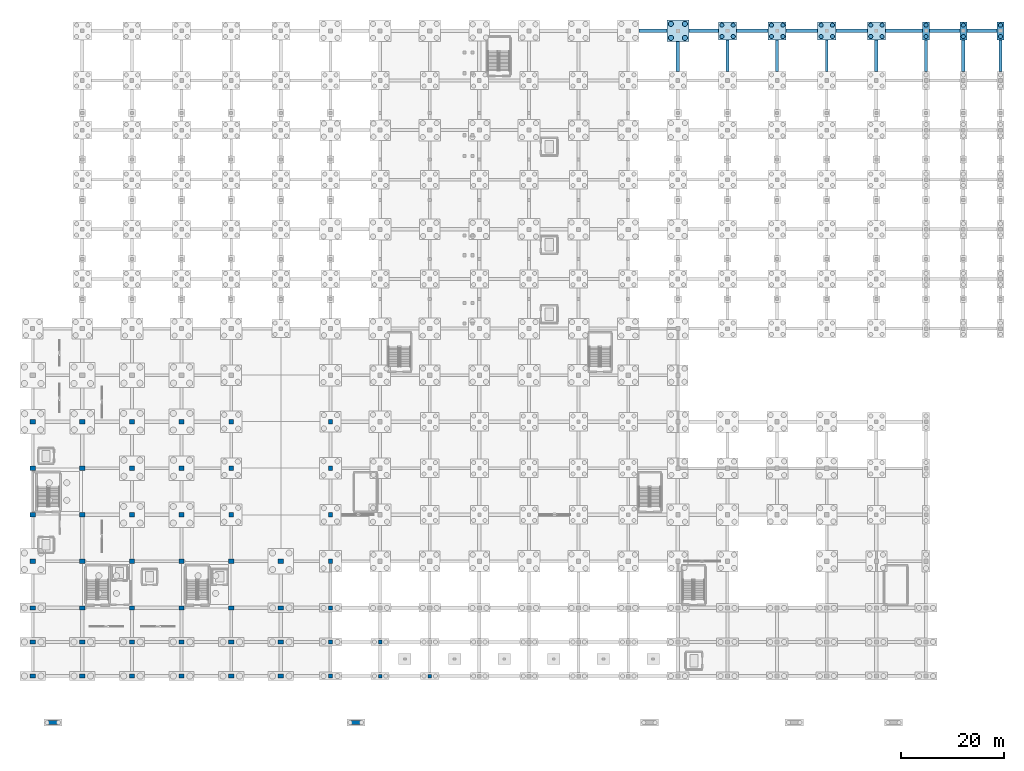
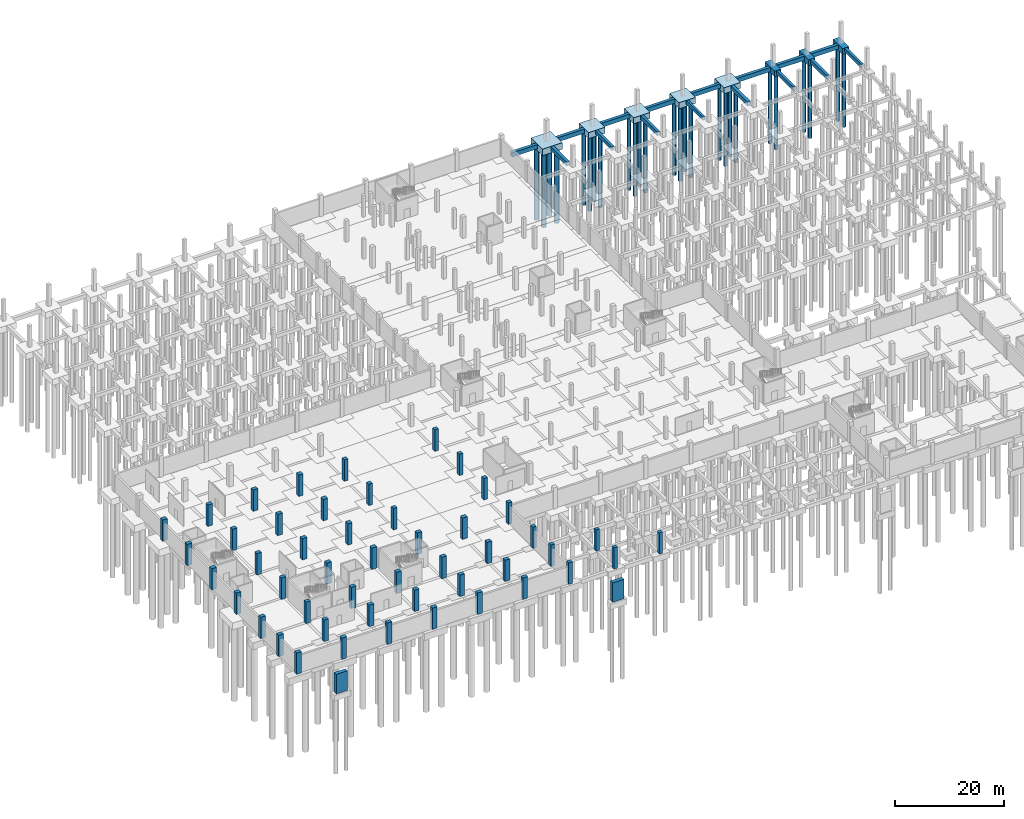
# One storey, part 17 of 39: 51 columns, 26 piles, 24 footings.
"""IFC4 building model written with IfcOpenShell, lengths in metres."""

from ifc_helpers import new_model, si_unit, direction, frame, origin, origin_2d, place, context, subcontext, project, spatial, polyline, rectangle, circle, outline, extrude, material, material_profile, profile_set, type_object, element, save


model = new_model("IFC4")

# Units and contexts
model_context = context("Model", 3, precision=1e-05, world=origin(), true_north=direction((0.0, 1.0)))
body_context = subcontext(model_context, "Body", "Model", "MODEL_VIEW")
ifc_project = project(units=[si_unit("LENGTHUNIT", "METRE"), si_unit("AREAUNIT", "SQUARE_METRE"), si_unit("VOLUMEUNIT", "CUBIC_METRE"), si_unit("PLANEANGLEUNIT", "RADIAN"), si_unit("MASSUNIT", "GRAM", prefix="KILO")], contexts=[model_context])

# Site, building, storey
site_placement = place(None, origin())
site = spatial("IfcSite", under=ifc_project, at=site_placement, CompositionType="ELEMENT")
building_placement = place(site_placement, origin())
building = spatial("IfcBuilding", under=site, at=building_placement, Name="Zarnetskaya Central Station", CompositionType="ELEMENT")
storey_placement = place(building_placement, frame((0.0, 0.0, -4.800048828125)))
storey = spatial("IfcBuildingStorey", under=building, at=storey_placement, Name="B1", CompositionType="ELEMENT", Elevation=-4.800048828125)

# Footings
ifc_material_1 = material(Name="Concrete C30/37", Category="concrete")
footing_type_1 = type_object("IfcFootingType", Name="FB-500x800", PredefinedType="FOOTING_BEAM", material=ifc_material_1)
footing_1_placement = place(storey_placement, frame((0.0, 0.0, -0.800048828125)))
element("IfcFooting", 1, at=footing_1_placement, inside=storey, type_object=footing_type_1, Name="Footing tie beam S 14-15", PredefinedType="FOOTING_BEAM", context=body_context, shape_type="SweptSolid", body=[
    extrude(outline(polyline([(153.35009765625, 116.949951171875), (153.85009765625, 116.949951171875), (153.85009765625, 123.050048828125), (153.35009765625, 123.050048828125), (153.35009765625, 116.949951171875)])), origin(), (0.0, 0.0, 1.0), 0.800048828125),
])
footing_2_placement = place(storey_placement, frame((0.0, 0.0, -0.800048828125)))
element("IfcFooting", 2, at=footing_2_placement, inside=storey, type_object=footing_type_1, Name="Footing tie beam W 14-15", PredefinedType="FOOTING_BEAM", context=body_context, shape_type="SweptSolid", body=[
    extrude(outline(polyline([(186.949951171875, 116.949951171875), (187.449951171875, 116.949951171875), (187.449951171875, 123.050048828125), (186.949951171875, 123.050048828125), (186.949951171875, 116.949951171875)])), origin(), (0.0, 0.0, 1.0), 0.800048828125),
])
footing_type_2 = type_object("IfcFootingType", Name="FB-550x850", PredefinedType="FOOTING_BEAM", material=ifc_material_1)
footing_3_placement = place(storey_placement, frame((0.0, 0.0, -0.849853515625)))
element("IfcFooting", 3, at=footing_3_placement, inside=storey, type_object=footing_type_2, Name="Footing tie beam Q 14-15", PredefinedType="FOOTING_BEAM", context=body_context, shape_type="SweptSolid", body=[
    extrude(outline(polyline([(134.125, 116.949951171875), (134.675048828125, 116.949951171875), (134.675048828125, 123.050048828125), (134.125, 123.050048828125), (134.125, 116.949951171875)])), origin(), (0.0, 0.0, 1.0), 0.849853515625),
])
footing_4_placement = place(storey_placement, frame((0.0, 0.0, -0.849853515625)))
element("IfcFooting", 4, at=footing_4_placement, inside=storey, type_object=footing_type_2, Name="Footing tie beam U 14-15", PredefinedType="FOOTING_BEAM", context=body_context, shape_type="SweptSolid", body=[
    extrude(outline(polyline([(172.52490234375, 116.949951171875), (173.074951171875, 116.949951171875), (173.074951171875, 123.050048828125), (172.52490234375, 123.050048828125), (172.52490234375, 116.949951171875)])), origin(), (0.0, 0.0, 1.0), 0.849853515625),
])
footing_type_3 = type_object("IfcFootingType", Name="FB-600x900", PredefinedType="FOOTING_BEAM", material=ifc_material_1)
footing_5_placement = place(storey_placement, frame((0.0, 0.0, -0.89990234375)))
element("IfcFooting", 5, at=footing_5_placement, inside=storey, type_object=footing_type_3, Name="Footing tie beam R 14-15", PredefinedType="FOOTING_BEAM", context=body_context, shape_type="SweptSolid", body=[
    extrude(outline(polyline([(143.699951171875, 116.949951171875), (144.300048828125, 116.949951171875), (144.300048828125, 123.050048828125), (143.699951171875, 123.050048828125), (143.699951171875, 116.949951171875)])), origin(), (0.0, 0.0, 1.0), 0.89990234375),
])
footing_6_placement = place(storey_placement, frame((0.0, 0.0, -0.89990234375)))
element("IfcFooting", 6, at=footing_6_placement, inside=storey, type_object=footing_type_3, Name="Footing tie beam V 14-15", PredefinedType="FOOTING_BEAM", context=body_context, shape_type="SweptSolid", body=[
    extrude(outline(polyline([(179.699951171875, 116.949951171875), (180.300048828125, 116.949951171875), (180.300048828125, 123.050048828125), (179.699951171875, 123.050048828125), (179.699951171875, 116.949951171875)])), origin(), (0.0, 0.0, 1.0), 0.89990234375),
])
footing_type_4 = type_object("IfcFootingType", Name="FB-650x950", PredefinedType="FOOTING_BEAM", material=ifc_material_1)
footing_7_placement = place(storey_placement, frame((0.0, 0.0, -0.949951171875)))
element("IfcFooting", 7, at=footing_7_placement, inside=storey, type_object=footing_type_4, Name="Footing tie beam 15 N-P", PredefinedType="FOOTING_BEAM", context=body_context, shape_type="SweptSolid", body=[
    extrude(outline(polyline([(117.300048828125, 124.47509765625), (122.699951171875, 124.47509765625), (122.699951171875, 125.125), (117.300048828125, 125.125), (117.300048828125, 124.47509765625)])), origin(), (0.0, 0.0, 1.0), 0.949951171875),
])
footing_8_placement = place(storey_placement, frame((0.0, 0.0, -0.949951171875)))
element("IfcFooting", 8, at=footing_8_placement, inside=storey, type_object=footing_type_4, Name="Footing tie beam 15 P-Q", PredefinedType="FOOTING_BEAM", context=body_context, shape_type="SweptSolid", body=[
    extrude(outline(polyline([(126.89990234375, 124.47509765625), (132.64990234375, 124.47509765625), (132.64990234375, 125.125), (126.89990234375, 125.125), (126.89990234375, 124.47509765625)])), origin(), (0.0, 0.0, 1.0), 0.949951171875),
])
footing_9_placement = place(storey_placement, frame((0.0, 0.0, -0.949951171875)))
element("IfcFooting", 9, at=footing_9_placement, inside=storey, type_object=footing_type_4, Name="Footing tie beam 15 Q-R", PredefinedType="FOOTING_BEAM", context=body_context, shape_type="SweptSolid", body=[
    extrude(outline(polyline([(136.14990234375, 124.47509765625), (142.25, 124.47509765625), (142.25, 125.125), (136.14990234375, 125.125), (136.14990234375, 124.47509765625)])), origin(), (0.0, 0.0, 1.0), 0.949951171875),
])
footing_10_placement = place(storey_placement, frame((0.0, 0.0, -0.949951171875)))
element("IfcFooting", 10, at=footing_10_placement, inside=storey, type_object=footing_type_4, Name="Footing tie beam 15 R-S", PredefinedType="FOOTING_BEAM", context=body_context, shape_type="SweptSolid", body=[
    extrude(outline(polyline([(145.75, 124.47509765625), (151.85009765625, 124.47509765625), (151.85009765625, 125.125), (145.75, 125.125), (145.75, 124.47509765625)])), origin(), (0.0, 0.0, 1.0), 0.949951171875),
])
footing_11_placement = place(storey_placement, frame((0.0, 0.0, -0.949951171875)))
element("IfcFooting", 11, at=footing_11_placement, inside=storey, type_object=footing_type_4, Name="Footing tie beam 15 S-T", PredefinedType="FOOTING_BEAM", context=body_context, shape_type="SweptSolid", body=[
    extrude(outline(polyline([(155.35009765625, 124.47509765625), (161.449951171875, 124.47509765625), (161.449951171875, 125.125), (155.35009765625, 125.125), (155.35009765625, 124.47509765625)])), origin(), (0.0, 0.0, 1.0), 0.949951171875),
])
footing_12_placement = place(storey_placement, frame((0.0, 0.0, -0.949951171875)))
element("IfcFooting", 12, at=footing_12_placement, inside=storey, type_object=footing_type_4, Name="Footing tie beam 15 T-U", PredefinedType="FOOTING_BEAM", context=body_context, shape_type="SweptSolid", body=[
    extrude(outline(polyline([(164.949951171875, 124.47509765625), (172.125, 124.47509765625), (172.125, 125.125), (164.949951171875, 125.125), (164.949951171875, 124.47509765625)])), origin(), (0.0, 0.0, 1.0), 0.949951171875),
])
footing_13_placement = place(storey_placement, frame((0.0, 0.0, -0.949951171875)))
element("IfcFooting", 13, at=footing_13_placement, inside=storey, type_object=footing_type_4, Name="Footing tie beam 15 U-V", PredefinedType="FOOTING_BEAM", context=body_context, shape_type="SweptSolid", body=[
    extrude(outline(polyline([(173.47509765625, 124.47509765625), (179.324951171875, 124.47509765625), (179.324951171875, 125.125), (173.47509765625, 125.125), (173.47509765625, 124.47509765625)])), origin(), (0.0, 0.0, 1.0), 0.949951171875),
])
footing_14_placement = place(storey_placement, frame((0.0, 0.0, -0.949951171875)))
element("IfcFooting", 14, at=footing_14_placement, inside=storey, type_object=footing_type_4, Name="Footing tie beam 15 V-W", PredefinedType="FOOTING_BEAM", context=body_context, shape_type="SweptSolid", body=[
    extrude(outline(polyline([(180.675048828125, 124.47509765625), (186.52490234375, 124.47509765625), (186.52490234375, 125.125), (180.675048828125, 125.125), (180.675048828125, 124.47509765625)])), origin(), (0.0, 0.0, 1.0), 0.949951171875),
])
footing_15_placement = place(storey_placement, frame((0.0, 0.0, -0.949951171875)))
element("IfcFooting", 15, at=footing_15_placement, inside=storey, type_object=footing_type_4, Name="Footing tie beam P 14-15", PredefinedType="FOOTING_BEAM", context=body_context, shape_type="SweptSolid", body=[
    extrude(outline(polyline([(124.47509765625, 116.949951171875), (125.125, 116.949951171875), (125.125, 122.699951171875), (124.47509765625, 122.699951171875), (124.47509765625, 116.949951171875)])), origin(), (0.0, 0.0, 1.0), 0.949951171875),
])
footing_16_placement = place(storey_placement, frame((0.0, 0.0, -0.949951171875)))
element("IfcFooting", 16, at=footing_16_placement, inside=storey, type_object=footing_type_4, Name="Footing tie beam T 14-15", PredefinedType="FOOTING_BEAM", context=body_context, shape_type="SweptSolid", body=[
    extrude(outline(polyline([(162.875, 116.949951171875), (163.52490234375, 116.949951171875), (163.52490234375, 123.050048828125), (162.875, 123.050048828125), (162.875, 116.949951171875)])), origin(), (0.0, 0.0, 1.0), 0.949951171875),
])
ifc_material_2 = material(Name="Concrete C35/45", Category="concrete")
footing_type_5 = type_object("IfcFootingType", Name="PC-2P-800Y", PredefinedType="PILE_CAP", material=ifc_material_2)
for number, where, z_axis, x_axis, name in (
    (17, (172.800048828125, 124.800048828125, -1.2998046875), (0.0, 0.0, 1.0), (1.0, 0.0, 0.0), "Pile cap U15"),
    (18, (180.0, 124.800048828125, -1.2998046875), (0.0, 0.0, 1.0), (1.0, 0.0, 0.0), "Pile cap V15"),
    (19, (187.199951171875, 124.800048828125, -1.2998046875), (0.0, 0.0, 1.0), (1.0, 0.0, 0.0), "Pile cap W15"),
):
    element("IfcFooting", number, at=place(storey_placement, frame(where, z_axis=z_axis, x_axis=x_axis)), inside=storey, type_object=footing_type_5, Name=name, PredefinedType="PILE_CAP", context=body_context, shape_type="SweptSolid", body=[
        extrude(rectangle(XDim=1.35009765625, YDim=3.5, at=origin_2d()), origin(), (0.0, 0.0, 1.0), 1.300048828125),
    ])
footing_type_6 = type_object("IfcFootingType", Name="PC-4P-1000A", PredefinedType="PILE_CAP", material=ifc_material_2)
footing_17_placement = place(storey_placement, frame((124.800048828125, 124.800048828125, -1.44970703125), z_axis=(0.0, 0.0, 1.0), x_axis=(1.0, 0.0, 0.0)))
element("IfcFooting", 20, at=footing_17_placement, inside=storey, type_object=footing_type_6, Name="Pile cap P15", PredefinedType="PILE_CAP", context=body_context, shape_type="SweptSolid", body=[
    extrude(rectangle(XDim=4.199951171875, YDim=4.199951171875, at=origin_2d()), origin(), (0.0, 0.0, 1.0), 1.449951171875),
])
footing_type_7 = type_object("IfcFootingType", Name="PC-4P-800A", PredefinedType="PILE_CAP", material=ifc_material_2)
for number, where, z_axis, x_axis, name in (
    (21, (134.39990234375, 124.800048828125, -1.35009765625), (0.0, 0.0, 1.0), (1.0, 0.0, 0.0), "Pile cap Q15"),
    (22, (144.0, 124.800048828125, -1.35009765625), (0.0, 0.0, 1.0), (1.0, 0.0, 0.0), "Pile cap R15"),
    (23, (153.60009765625, 124.800048828125, -1.35009765625), (0.0, 0.0, 1.0), (1.0, 0.0, 0.0), "Pile cap S15"),
    (24, (163.199951171875, 124.800048828125, -1.35009765625), (0.0, 0.0, 1.0), (1.0, 0.0, 0.0), "Pile cap T15"),
):
    element("IfcFooting", number, at=place(storey_placement, frame(where, z_axis=z_axis, x_axis=x_axis)), inside=storey, type_object=footing_type_7, Name=name, PredefinedType="PILE_CAP", context=body_context, shape_type="SweptSolid", body=[
        extrude(rectangle(XDim=3.5, YDim=3.5, at=origin_2d()), origin(), (0.0, 0.0, 1.0), 1.35009765625),
    ])

# Piles
ifc_material_profile_1 = material_profile(ifc_material_2, circle(Radius=0.5, at=origin_2d()), Name="BORED PILE D1000")
ifc_profile_set_1 = profile_set([ifc_material_profile_1], Name="Concrete C35/45")
pile_type_1 = type_object("IfcPileType", Name="PILE-D1000", PredefinedType="BORED", material=ifc_profile_set_1)
for number, where, z_axis, x_axis, name in (
    (25, (123.449951171875, 123.449951171875, -1.300048828125), (0.0, 0.0, -1.0), (1.0, 0.0, 0.0), "Bored pile P15-11"),
    (26, (123.449951171875, 126.14990234375, -1.300048828125), (0.0, 0.0, -1.0), (1.0, 0.0, 0.0), "Bored pile P15-12"),
    (27, (126.14990234375, 123.449951171875, -1.300048828125), (0.0, 0.0, -1.0), (1.0, 0.0, 0.0), "Bored pile P15-21"),
    (28, (126.14990234375, 126.14990234375, -1.300048828125), (0.0, 0.0, -1.0), (1.0, 0.0, 0.0), "Bored pile P15-22"),
):
    element("IfcPile", number, at=place(storey_placement, frame(where, z_axis=z_axis, x_axis=x_axis)), inside=storey, type_object=pile_type_1, Name=name, PredefinedType="BORED", context=body_context, shape_type="SweptSolid", body=[
        extrude(circle(Radius=0.5, at=origin_2d()), origin(), (0.0, 0.0, 1.0), 16.699951171875),
    ])
ifc_material_profile_2 = material_profile(ifc_material_2, circle(Radius=0.39990234375, at=origin_2d()), Name="BORED PILE D800")
ifc_profile_set_2 = profile_set([ifc_material_profile_2], Name="Concrete C35/45")
pile_type_2 = type_object("IfcPileType", Name="PILE-D800", PredefinedType="BORED", material=ifc_profile_set_2)
for number, where, z_axis, x_axis, name in (
    (29, (133.300048828125, 123.699951171875, -1.199951171875), (0.0, 0.0, -1.0), (1.0, 0.0, 0.0), "Bored pile Q15-11"),
    (30, (133.300048828125, 125.89990234375, -1.199951171875), (0.0, 0.0, -1.0), (1.0, 0.0, 0.0), "Bored pile Q15-12"),
    (31, (135.5, 123.699951171875, -1.199951171875), (0.0, 0.0, -1.0), (1.0, 0.0, 0.0), "Bored pile Q15-21"),
    (32, (135.5, 125.89990234375, -1.199951171875), (0.0, 0.0, -1.0), (1.0, 0.0, 0.0), "Bored pile Q15-22"),
    (33, (142.89990234375, 123.699951171875, -1.199951171875), (0.0, 0.0, -1.0), (1.0, 0.0, 0.0), "Bored pile R15-11"),
    (34, (142.89990234375, 125.89990234375, -1.199951171875), (0.0, 0.0, -1.0), (1.0, 0.0, 0.0), "Bored pile R15-12"),
    (35, (145.10009765625, 123.699951171875, -1.199951171875), (0.0, 0.0, -1.0), (1.0, 0.0, 0.0), "Bored pile R15-21"),
    (36, (145.10009765625, 125.89990234375, -1.199951171875), (0.0, 0.0, -1.0), (1.0, 0.0, 0.0), "Bored pile R15-22"),
    (37, (152.5, 123.699951171875, -1.199951171875), (0.0, 0.0, -1.0), (1.0, 0.0, 0.0), "Bored pile S15-11"),
    (38, (152.5, 125.89990234375, -1.199951171875), (0.0, 0.0, -1.0), (1.0, 0.0, 0.0), "Bored pile S15-12"),
    (39, (154.699951171875, 123.699951171875, -1.199951171875), (0.0, 0.0, -1.0), (1.0, 0.0, 0.0), "Bored pile S15-21"),
    (40, (154.699951171875, 125.89990234375, -1.199951171875), (0.0, 0.0, -1.0), (1.0, 0.0, 0.0), "Bored pile S15-22"),
    (41, (162.10009765625, 123.699951171875, -1.199951171875), (0.0, 0.0, -1.0), (1.0, 0.0, 0.0), "Bored pile T15-11"),
    (42, (162.10009765625, 125.89990234375, -1.199951171875), (0.0, 0.0, -1.0), (1.0, 0.0, 0.0), "Bored pile T15-12"),
    (43, (164.300048828125, 123.699951171875, -1.199951171875), (0.0, 0.0, -1.0), (1.0, 0.0, 0.0), "Bored pile T15-21"),
    (44, (164.300048828125, 125.89990234375, -1.199951171875), (0.0, 0.0, -1.0), (1.0, 0.0, 0.0), "Bored pile T15-22"),
):
    element("IfcPile", number, at=place(storey_placement, frame(where, z_axis=z_axis, x_axis=x_axis)), inside=storey, type_object=pile_type_2, Name=name, PredefinedType="BORED", context=body_context, shape_type="SweptSolid", body=[
        extrude(circle(Radius=0.39990234375, at=origin_2d()), origin(), (0.0, 0.0, 1.0), 16.800048828125),
    ])
for number, where, z_axis, x_axis, name in (
    (45, (172.800048828125, 123.699951171875, -1.14990234375), (0.0, 0.0, -1.0), (1.0, 0.0, 0.0), "Bored pile U15-11"),
    (46, (172.800048828125, 125.89990234375, -1.14990234375), (0.0, 0.0, -1.0), (1.0, 0.0, 0.0), "Bored pile U15-12"),
    (47, (180.0, 123.699951171875, -1.14990234375), (0.0, 0.0, -1.0), (1.0, 0.0, 0.0), "Bored pile V15-11"),
    (48, (180.0, 125.89990234375, -1.14990234375), (0.0, 0.0, -1.0), (1.0, 0.0, 0.0), "Bored pile V15-12"),
    (49, (187.199951171875, 123.699951171875, -1.14990234375), (0.0, 0.0, -1.0), (1.0, 0.0, 0.0), "Bored pile W15-11"),
    (50, (187.199951171875, 125.89990234375, -1.14990234375), (0.0, 0.0, -1.0), (1.0, 0.0, 0.0), "Bored pile W15-12"),
):
    element("IfcPile", number, at=place(storey_placement, frame(where, z_axis=z_axis, x_axis=x_axis)), inside=storey, type_object=pile_type_2, Name=name, PredefinedType="BORED", context=body_context, shape_type="SweptSolid", body=[
        extrude(circle(Radius=0.39990234375, at=origin_2d()), origin(), (0.0, 0.0, 1.0), 16.85009765625),
    ])

# Columns
ifc_material_profile_3 = material_profile(ifc_material_2, rectangle(XDim=1.0, YDim=0.800048828125, at=origin_2d()), Name="RC PIER 1000x800")
ifc_profile_set_3 = profile_set([ifc_material_profile_3], Name="Concrete C35/45")
column_type_1 = type_object("IfcColumnType", Name="COL-B1-PIER1", PredefinedType="COLUMN", material=ifc_profile_set_3)
for number, where, z_axis, x_axis, name in (
    (51, (0.0, 0.0, 0.0), (0.0, 0.0, 1.0), (1.0, 0.0, 0.0), "Column A1 B1"),
    (52, (0.0, 6.60009765625, 0.0), (0.0, 0.0, 1.0), (1.0, 0.0, 0.0), "Column A2 B1"),
    (53, (0.0, 13.199951171875, 0.0), (0.0, 0.0, 1.0), (1.0, 0.0, 0.0), "Column A3 B1"),
    (54, (0.0, 22.199951171875, 0.0), (0.0, 0.0, 1.0), (1.0, 0.0, 0.0), "Column A4 B1"),
    (55, (0.0, 31.199951171875, 0.0), (0.0, 0.0, 1.0), (1.0, 0.0, 0.0), "Column A5 B1"),
    (56, (0.0, 40.199951171875, 0.0), (0.0, 0.0, 1.0), (1.0, 0.0, 0.0), "Column A6 B1"),
    (57, (0.0, 49.199951171875, 0.0), (0.0, 0.0, 1.0), (1.0, 0.0, 0.0), "Column A7 B1"),
    (58, (9.60009765625, 0.0, 0.0), (0.0, 0.0, 1.0), (1.0, 0.0, 0.0), "Column B1 B1"),
    (59, (9.60009765625, 6.60009765625, 0.0), (0.0, 0.0, 1.0), (1.0, 0.0, 0.0), "Column B2 B1"),
    (60, (9.60009765625, 13.199951171875, 0.0), (0.0, 0.0, 1.0), (1.0, 0.0, 0.0), "Column B3 B1"),
    (61, (9.60009765625, 22.199951171875, 0.0), (0.0, 0.0, 1.0), (1.0, 0.0, 0.0), "Column B4 B1"),
    (62, (9.60009765625, 31.199951171875, 0.0), (0.0, 0.0, 1.0), (1.0, 0.0, 0.0), "Column B5 B1"),
    (63, (9.60009765625, 40.199951171875, 0.0), (0.0, 0.0, 1.0), (1.0, 0.0, 0.0), "Column B6 B1"),
    (64, (9.60009765625, 49.199951171875, 0.0), (0.0, 0.0, 1.0), (1.0, 0.0, 0.0), "Column B7 B1"),
    (65, (19.199951171875, 0.0, 0.0), (0.0, 0.0, 1.0), (1.0, 0.0, 0.0), "Column C1 B1"),
    (66, (19.199951171875, 6.60009765625, 0.0), (0.0, 0.0, 1.0), (1.0, 0.0, 0.0), "Column C2 B1"),
    (67, (19.199951171875, 13.199951171875, 0.0), (0.0, 0.0, 1.0), (1.0, 0.0, 0.0), "Column C3 B1"),
    (68, (19.199951171875, 22.199951171875, 0.0), (0.0, 0.0, 1.0), (1.0, 0.0, 0.0), "Column C4 B1"),
    (69, (19.199951171875, 31.199951171875, 0.0), (0.0, 0.0, 1.0), (1.0, 0.0, 0.0), "Column C5 B1"),
    (70, (19.199951171875, 40.199951171875, 0.0), (0.0, 0.0, 1.0), (1.0, 0.0, 0.0), "Column C6 B1"),
    (71, (19.199951171875, 49.199951171875, 0.0), (0.0, 0.0, 1.0), (1.0, 0.0, 0.0), "Column C7 B1"),
    (72, (28.800048828125, 0.0, 0.0), (0.0, 0.0, 1.0), (1.0, 0.0, 0.0), "Column D1 B1"),
    (73, (28.800048828125, 6.60009765625, 0.0), (0.0, 0.0, 1.0), (1.0, 0.0, 0.0), "Column D2 B1"),
    (74, (28.800048828125, 13.199951171875, 0.0), (0.0, 0.0, 1.0), (1.0, 0.0, 0.0), "Column D3 B1"),
    (75, (28.800048828125, 22.199951171875, 0.0), (0.0, 0.0, 1.0), (1.0, 0.0, 0.0), "Column D4 B1"),
    (76, (38.39990234375, 0.0, 0.0), (0.0, 0.0, 1.0), (1.0, 0.0, 0.0), "Column E1 B1"),
    (77, (38.39990234375, 6.60009765625, 0.0), (0.0, 0.0, 1.0), (1.0, 0.0, 0.0), "Column E2 B1"),
    (78, (38.39990234375, 13.199951171875, 0.0), (0.0, 0.0, 1.0), (1.0, 0.0, 0.0), "Column E3 B1"),
    (79, (38.39990234375, 22.199951171875, 0.0), (0.0, 0.0, 1.0), (1.0, 0.0, 0.0), "Column E4 B1"),
    (80, (48.0, 0.0, 0.0), (0.0, 0.0, 1.0), (1.0, 0.0, 0.0), "Column F1 B1"),
    (81, (48.0, 6.60009765625, 0.0), (0.0, 0.0, 1.0), (1.0, 0.0, 0.0), "Column F2 B1"),
    (82, (48.0, 13.199951171875, 0.0), (0.0, 0.0, 1.0), (1.0, 0.0, 0.0), "Column F3 B1"),
    (83, (48.0, 22.199951171875, 0.0), (0.0, 0.0, 1.0), (1.0, 0.0, 0.0), "Column F4 B1"),
):
    element("IfcColumn", number, at=place(storey_placement, frame(where, z_axis=z_axis, x_axis=x_axis)), inside=storey, type_object=column_type_1, Name=name, PredefinedType="COLUMN", context=body_context, shape_type="SweptSolid", body=[
        extrude(rectangle(XDim=1.0, YDim=0.800048828125, at=origin_2d()), origin(), (0.0, 0.0, 1.0), 4.800048828125),
    ])
ifc_material_profile_4 = material_profile(ifc_material_2, rectangle(XDim=0.89990234375, YDim=0.89990234375, at=origin_2d()), Name="RC 900x900")
ifc_profile_set_4 = profile_set([ifc_material_profile_4], Name="Concrete C35/45")
column_type_2 = type_object("IfcColumnType", Name="COL-B1-PIER2", PredefinedType="COLUMN", material=ifc_profile_set_4)
for number, where, z_axis, x_axis, name in (
    (84, (28.800048828125, 31.199951171875, 0.0), (0.0, 0.0, 1.0), (1.0, 0.0, 0.0), "Column D5 B1"),
    (85, (28.800048828125, 40.199951171875, 0.0), (0.0, 0.0, 1.0), (1.0, 0.0, 0.0), "Column D6 B1"),
    (86, (28.800048828125, 49.199951171875, 0.0), (0.0, 0.0, 1.0), (1.0, 0.0, 0.0), "Column D7 B1"),
):
    element("IfcColumn", number, at=place(storey_placement, frame(where, z_axis=z_axis, x_axis=x_axis)), inside=storey, type_object=column_type_2, Name=name, PredefinedType="COLUMN", context=body_context, shape_type="SweptSolid", body=[
        extrude(rectangle(XDim=0.89990234375, YDim=0.89990234375, at=origin_2d()), origin(), (0.0, 0.0, 1.0), 4.800048828125),
    ])
ifc_material_profile_5 = material_profile(ifc_material_2, rectangle(XDim=0.800048828125, YDim=0.800048828125, at=origin_2d()), Name="RC 800x800")
ifc_profile_set_5 = profile_set([ifc_material_profile_5], Name="Concrete C35/45")
column_type_3 = type_object("IfcColumnType", Name="COL-B1-PIER3", PredefinedType="COLUMN", material=ifc_profile_set_5)
for number, where, z_axis, x_axis, name in (
    (87, (38.39990234375, 31.199951171875, 0.0), (0.0, 0.0, 1.0), (1.0, 0.0, 0.0), "Column E5 B1"),
    (88, (38.39990234375, 40.199951171875, 0.0), (0.0, 0.0, 1.0), (1.0, 0.0, 0.0), "Column E6 B1"),
    (89, (38.39990234375, 49.199951171875, 0.0), (0.0, 0.0, 1.0), (1.0, 0.0, 0.0), "Column E7 B1"),
    (90, (57.60009765625, 0.0, 0.0), (0.0, 0.0, 1.0), (1.0, 0.0, 0.0), "Column G1 B1"),
    (91, (57.60009765625, 6.60009765625, 0.0), (0.0, 0.0, 1.0), (1.0, 0.0, 0.0), "Column G2 B1"),
    (92, (57.60009765625, 13.199951171875, 0.0), (0.0, 0.0, 1.0), (1.0, 0.0, 0.0), "Column G3 B1"),
    (93, (57.60009765625, 22.199951171875, 0.0), (0.0, 0.0, 1.0), (1.0, 0.0, 0.0), "Column G4 B1"),
    (94, (57.60009765625, 31.199951171875, 0.0), (0.0, 0.0, 1.0), (1.0, 0.0, 0.0), "Column G5 B1"),
    (95, (57.60009765625, 40.199951171875, 0.0), (0.0, 0.0, 1.0), (1.0, 0.0, 0.0), "Column G6 B1"),
    (96, (57.60009765625, 49.199951171875, 0.0), (0.0, 0.0, 1.0), (1.0, 0.0, 0.0), "Column G7 B1"),
):
    element("IfcColumn", number, at=place(storey_placement, frame(where, z_axis=z_axis, x_axis=x_axis)), inside=storey, type_object=column_type_3, Name=name, PredefinedType="COLUMN", context=body_context, shape_type="SweptSolid", body=[
        extrude(rectangle(XDim=0.800048828125, YDim=0.800048828125, at=origin_2d()), origin(), (0.0, 0.0, 1.0), 4.800048828125),
    ])
ifc_material_profile_6 = material_profile(ifc_material_2, rectangle(XDim=0.699951171875, YDim=0.699951171875, at=origin_2d()), Name="RC 700x700")
ifc_profile_set_6 = profile_set([ifc_material_profile_6], Name="Concrete C35/45")
column_type_4 = type_object("IfcColumnType", Name="COL-B1-PIER4", PredefinedType="COLUMN", material=ifc_profile_set_6)
for number, where, z_axis, x_axis, name in (
    (97, (67.199951171875, 0.0, 0.0), (0.0, 0.0, 1.0), (1.0, 0.0, 0.0), "Column H1 B1"),
    (98, (67.199951171875, 6.60009765625, 0.0), (0.0, 0.0, 1.0), (1.0, 0.0, 0.0), "Column H2 B1"),
    (99, (76.800048828125, 0.0, 0.0), (0.0, 0.0, 1.0), (1.0, 0.0, 0.0), "Column J1 B1"),
):
    element("IfcColumn", number, at=place(storey_placement, frame(where, z_axis=z_axis, x_axis=x_axis)), inside=storey, type_object=column_type_4, Name=name, PredefinedType="COLUMN", context=body_context, shape_type="SweptSolid", body=[
        extrude(rectangle(XDim=0.699951171875, YDim=0.699951171875, at=origin_2d()), origin(), (0.0, 0.0, 1.0), 4.800048828125),
    ])
ifc_material_profile_7 = material_profile(ifc_material_2, rectangle(XDim=2.39990234375, YDim=0.800048828125, at=origin_2d()), Name="RC PIER 2400x800")
ifc_profile_set_7 = profile_set([ifc_material_profile_7], Name="Concrete C35/45")
column_type_5 = type_object("IfcColumnType", Name="COL-B1-RMPPIER", PredefinedType="COLUMN", material=ifc_profile_set_7)
for number, where, z_axis, x_axis, name in (
    (100, (3.89990234375, -9.0, 0.0), (0.0, 0.0, 1.0), (1.0, 0.0, 0.0), "Ramp landing support pier RM-01"),
    (101, (62.5, -9.0, 0.0), (0.0, 0.0, 1.0), (1.0, 0.0, 0.0), "Ramp landing support pier RM-02"),
):
    element("IfcColumn", number, at=place(storey_placement, frame(where, z_axis=z_axis, x_axis=x_axis)), inside=storey, type_object=column_type_5, Name=name, PredefinedType="COLUMN", context=body_context, shape_type="SweptSolid", body=[
        extrude(rectangle(XDim=2.39990234375, YDim=0.800048828125, at=origin_2d()), origin(), (0.0, 0.0, 1.0), 4.35009765625),
    ])

save(model, "model.ifc")
